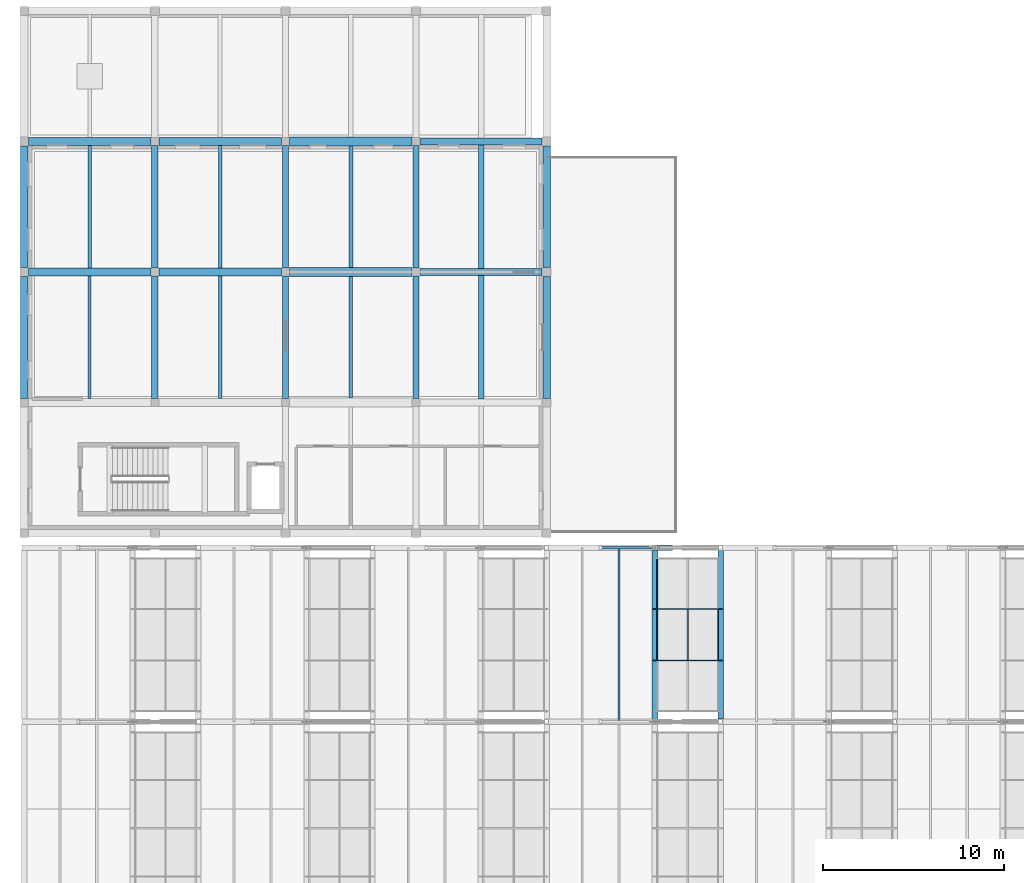
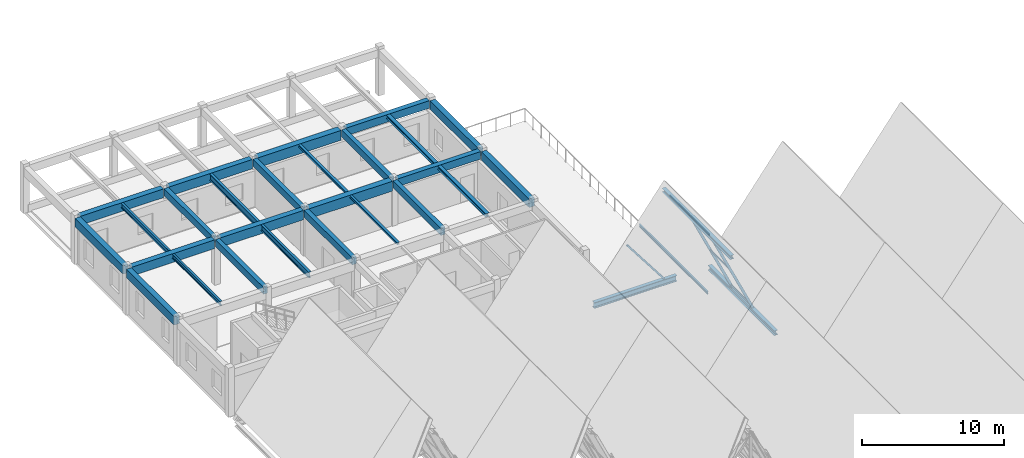
# One storey, part 27 of 99: 29 beams, 8 members, 1 element without a shape of its own.
"""IFC4 building model written with IfcOpenShell, lengths in metres."""

from ifc_helpers import new_model, si_unit, direction, frame, origin, origin_2d, place, context, subcontext, project, spatial, rectangle, hollow_rectangle, i_section, extrude, material, material_profile, profile_set, type_object, element, aggregate, save


model = new_model("IFC4")

# Units and contexts
model_context = context("Model", 3, precision=1e-05, world=origin(), true_north=direction((0.0, 1.0)))
body_context = subcontext(model_context, "Body", "Model", "MODEL_VIEW")
ifc_project = project(units=[si_unit("LENGTHUNIT", "METRE"), si_unit("AREAUNIT", "SQUARE_METRE"), si_unit("VOLUMEUNIT", "CUBIC_METRE"), si_unit("PLANEANGLEUNIT", "RADIAN"), si_unit("MASSUNIT", "GRAM", prefix="KILO")], contexts=[model_context])

# Site, building, storey
site_placement = place(None, origin())
site = spatial("IfcSite", under=ifc_project, at=site_placement, CompositionType="ELEMENT")
building_placement = place(site_placement, origin())
building = spatial("IfcBuilding", under=site, at=building_placement, Name="Bramveld Media Centre", CompositionType="ELEMENT")
storey_placement = place(building_placement, frame((0.0, 0.0, 13.800048828125)))
storey = spatial("IfcBuildingStorey", under=building, at=storey_placement, Name="L03", CompositionType="ELEMENT", Elevation=13.800048828125)

# Beams
ifc_material_1 = material(Name="Concrete C40/50", Category="concrete")
ifc_material_profile_1 = material_profile(ifc_material_1, rectangle(XDim=0.35009765625, YDim=0.60009765625, at=origin_2d()), Name="RC 350x600")
ifc_profile_set_1 = profile_set([ifc_material_profile_1], Name="Concrete C40/50")
beam_type_1 = type_object("IfcBeamType", Name="BM-INT-RC-350x600", PredefinedType="BEAM", material=ifc_profile_set_1)
for number, where, z_axis, x_axis, name in (
    (1, (7.199951171875, 46.625, 3.659912109375), (0.0, 1.0, 0.0), (-1.0, 0.0, 0.0), "V3 L03 girder Y-413"),
    (2, (7.199951171875, 53.824951171875, 3.659912109375), (0.0, 1.0, 0.0), (-1.0, 0.0, 0.0), "V3 L03 girder Y-414"),
    (3, (14.39990234375, 46.625, 3.659912109375), (0.0, 1.0, 0.0), (-1.0, 0.0, 0.0), "V3 L03 girder Y-417"),
    (4, (14.39990234375, 53.824951171875, 3.659912109375), (0.0, 1.0, 0.0), (-1.0, 0.0, 0.0), "V3 L03 girder Y-418"),
    (5, (21.60009765625, 46.625, 3.659912109375), (0.0, 1.0, 0.0), (-1.0, 0.0, 0.0), "V3 L03 girder Y-421"),
    (6, (21.60009765625, 53.824951171875, 3.659912109375), (0.0, 1.0, 0.0), (-1.0, 0.0, 0.0), "V3 L03 girder Y-422"),
):
    element("IfcBeam", number, at=place(storey_placement, frame(where, z_axis=z_axis, x_axis=x_axis)), inside=storey, type_object=beam_type_1, Name=name, PredefinedType="BEAM", context=body_context, shape_type="SweptSolid", body=[
        extrude(rectangle(XDim=0.35009765625, YDim=0.60009765625, at=origin_2d()), origin(), (0.0, 0.0, 1.0), 6.75),
    ])
ifc_material_2 = material(Name="Concrete C40/50", Category="concrete")
ifc_material_profile_2 = material_profile(ifc_material_2, rectangle(XDim=0.39990234375, YDim=0.64990234375, at=origin_2d()), Name="RC 400x650")
ifc_profile_set_2 = profile_set([ifc_material_profile_2], Name="Concrete C40/50")
beam_type_2 = type_object("IfcBeamType", Name="BM-INT-RC-400x650", PredefinedType="BEAM", material=ifc_profile_set_2)
for number, where, z_axis, x_axis, name in (
    (7, (21.824951171875, 53.60009765625, 3.635009765625), (1.0, 0.0, 0.0), (0.0, 1.0, 0.0), "V3 L03 girder X-400"),
    (8, (21.824951171875, 60.800048828125, 3.635009765625), (1.0, 0.0, 0.0), (0.0, 1.0, 0.0), "V3 L03 girder X-404"),
):
    element("IfcBeam", number, at=place(storey_placement, frame(where, z_axis=z_axis, x_axis=x_axis)), inside=storey, type_object=beam_type_2, Name=name, PredefinedType="BEAM", context=body_context, shape_type="SweptSolid", body=[
        extrude(rectangle(XDim=0.39990234375, YDim=0.64990234375, at=origin_2d()), origin(), (0.0, 0.0, 1.0), 6.735107421875),
    ])
ifc_material_3 = material(Name="Concrete C40/50", Category="concrete")
ifc_material_profile_3 = material_profile(ifc_material_3, rectangle(XDim=0.449951171875, YDim=0.75, at=origin_2d()), Name="RC 450x750")
ifc_profile_set_3 = profile_set([ifc_material_profile_3], Name="Concrete C40/50")
beam_type_3 = type_object("IfcBeamType", Name="BM-INT-RC-450x750", PredefinedType="BEAM", material=ifc_profile_set_3)
for number, where, z_axis, x_axis, name in (
    (9, (0.239990234375, 53.60009765625, 3.5849609375), (1.0, 0.0, 0.0), (0.0, 1.0, 0.0), "V3 L03 girder X-397"),
    (10, (0.239990234375, 60.800048828125, 3.5849609375), (1.0, 0.0, 0.0), (0.0, 1.0, 0.0), "V3 L03 girder X-401"),
):
    element("IfcBeam", number, at=place(storey_placement, frame(where, z_axis=z_axis, x_axis=x_axis)), inside=storey, type_object=beam_type_3, Name=name, PredefinedType="BEAM", context=body_context, shape_type="SweptSolid", body=[
        extrude(rectangle(XDim=0.449951171875, YDim=0.75, at=origin_2d()), origin(), (0.0, 0.0, 1.0), 6.735107421875),
    ])
ifc_material_4 = material(Name="Concrete C40/50", Category="concrete")
ifc_material_profile_4 = material_profile(ifc_material_4, rectangle(XDim=0.449951171875, YDim=0.800048828125, at=origin_2d()), Name="RC 450x800")
ifc_profile_set_4 = profile_set([ifc_material_profile_4], Name="Concrete C40/50")
beam_type_4 = type_object("IfcBeamType", Name="BM-INT-RC-450x800", PredefinedType="BEAM", material=ifc_profile_set_4)
for number, where, z_axis, x_axis, name in (
    (11, (7.425048828125, 53.60009765625, 3.56005859375), (1.0, 0.0, 0.0), (0.0, 1.0, 0.0), "V3 L03 girder X-398"),
    (12, (7.425048828125, 60.800048828125, 3.56005859375), (1.0, 0.0, 0.0), (0.0, 1.0, 0.0), "V3 L03 girder X-402"),
):
    element("IfcBeam", number, at=place(storey_placement, frame(where, z_axis=z_axis, x_axis=x_axis)), inside=storey, type_object=beam_type_4, Name=name, PredefinedType="BEAM", context=body_context, shape_type="SweptSolid", body=[
        extrude(rectangle(XDim=0.449951171875, YDim=0.800048828125, at=origin_2d()), origin(), (0.0, 0.0, 1.0), 6.75),
    ])
ifc_material_5 = material(Name="Concrete C40/50", Category="concrete")
ifc_material_profile_5 = material_profile(ifc_material_5, rectangle(XDim=0.5, YDim=0.85009765625, at=origin_2d()), Name="RC 500x850")
ifc_profile_set_5 = profile_set([ifc_material_profile_5], Name="Concrete C40/50")
beam_type_5 = type_object("IfcBeamType", Name="BM-INT-RC-500x850", PredefinedType="BEAM", material=ifc_profile_set_5)
for number, where, z_axis, x_axis, name in (
    (13, (14.625, 53.60009765625, 3.534912109375), (1.0, 0.0, 0.0), (0.0, 1.0, 0.0), "V3 L03 girder X-399"),
    (14, (14.625, 60.800048828125, 3.534912109375), (1.0, 0.0, 0.0), (0.0, 1.0, 0.0), "V3 L03 girder X-403"),
):
    element("IfcBeam", number, at=place(storey_placement, frame(where, z_axis=z_axis, x_axis=x_axis)), inside=storey, type_object=beam_type_5, Name=name, PredefinedType="BEAM", context=body_context, shape_type="SweptSolid", body=[
        extrude(rectangle(XDim=0.5, YDim=0.85009765625, at=origin_2d()), origin(), (0.0, 0.0, 1.0), 6.75),
    ])

# Curtain wall, members
ifc_material_6 = material(Name="Thermally broken anodized bronze aluminium unitized curtain wall with solar-control triple glazing", Category="aluminium")
curtain_wall_type = type_object("IfcCurtainWallType", Name="CW-SAW-8500x8606", PredefinedType="NOTDEFINED", material=ifc_material_6)
curtain_wall_placement = place(storey_placement, origin())
curtain_wall = element("IfcCurtainWall", 15, at=curtain_wall_placement, inside=storey, type_object=curtain_wall_type, Name="V2 sawtooth north-light clerestory B4-S3", PredefinedType="NOTDEFINED")
ifc_material_7 = material(Name="Thermally broken anodized bronze aluminium EN AW-6063 T6 curtain-wall framing", Category="aluminium")
ifc_material_profile_6 = material_profile(ifc_material_7, hollow_rectangle(XDim=0.070068359375, YDim=0.199951171875, WallThickness=0.00439453125, InnerFilletRadius=0.00439453125, OuterFilletRadius=0.009033203125, at=origin_2d()), Name="AL-MULL 70x200")
ifc_profile_set_6 = profile_set([ifc_material_profile_6], Name="Thermally broken anodized bronze aluminium EN AW-6063 T6 curtain-wall framing")
member_type_1 = type_object("IfcMemberType", Name="CW-MULL-SLP", PredefinedType="MULLION", material=ifc_profile_set_6)
member_1_placement = place(storey_placement, frame((38.39990234375, 32.183349609375, -0.02001953125), z_axis=(-0.423956992265, 0.0, 0.90568232218), x_axis=(0.0, -1.0, 0.0)))
member_1 = element("IfcMember", 16, at=member_1_placement, type_object=member_type_1, Name="CW-SA-8586 sloped mullion 2", PredefinedType="MULLION", context=body_context, shape_type="SweptSolid", body=[
    extrude(hollow_rectangle(XDim=0.070068359375, YDim=0.199951171875, WallThickness=0.00439453125, InnerFilletRadius=0.00439453125, OuterFilletRadius=0.009033203125, at=origin_2d()), origin(), (0.0, 0.0, 1.0), 8.5791015625),
])
member_2_placement = place(storey_placement, frame((38.39990234375, 35.0166015625, -0.02001953125), z_axis=(-0.423956992265, 0.0, 0.90568232218), x_axis=(0.0, -1.0, 0.0)))
member_2 = element("IfcMember", 17, at=member_2_placement, type_object=member_type_1, Name="CW-SA-8586 sloped mullion 3", PredefinedType="MULLION", context=body_context, shape_type="SweptSolid", body=[
    extrude(hollow_rectangle(XDim=0.070068359375, YDim=0.199951171875, WallThickness=0.00439453125, InnerFilletRadius=0.00439453125, OuterFilletRadius=0.009033203125, at=origin_2d()), origin(), (0.0, 0.0, 1.0), 8.5791015625),
])
ifc_material_8 = material(Name="Thermally broken anodized bronze aluminium EN AW-6063 T6 curtain-wall framing", Category="aluminium")
ifc_material_profile_7 = material_profile(ifc_material_8, hollow_rectangle(XDim=0.070068359375, YDim=0.14990234375, WallThickness=0.00390625, InnerFilletRadius=0.00390625, OuterFilletRadius=0.008056640625, at=origin_2d()), Name="AL-TRAN 70x150")
ifc_profile_set_7 = profile_set([ifc_material_profile_7], Name="Thermally broken anodized bronze aluminium EN AW-6063 T6 curtain-wall framing")
member_type_2 = type_object("IfcMemberType", Name="CW-TRAN-SLP", PredefinedType="USERDEFINED", material=ifc_profile_set_7)
member_3_placement = place(storey_placement, frame((38.25439453125, 32.21826171875, 0.290771484375), z_axis=(0.0, 1.0, 0.0), x_axis=(-1.0, 0.0, 0.0)))
member_3 = element("IfcMember", 18, at=member_3_placement, type_object=member_type_2, Name="CW-SA-8586 transom 2.1", ObjectType="TRANSOM", PredefinedType="USERDEFINED", context=body_context, shape_type="SweptSolid", body=[
    extrude(hollow_rectangle(XDim=0.070068359375, YDim=0.14990234375, WallThickness=0.00390625, InnerFilletRadius=0.00390625, OuterFilletRadius=0.008056640625, at=origin_2d()), origin(), (0.0, 0.0, 1.0), 2.763427734375),
])
member_4_placement = place(storey_placement, frame((36.581298828125, 32.21826171875, 3.864990234375), z_axis=(0.0, 1.0, 0.0), x_axis=(-1.0, 0.0, 0.0)))
member_4 = element("IfcMember", 19, at=member_4_placement, type_object=member_type_2, Name="CW-SA-8586 transom 2.2", ObjectType="TRANSOM", PredefinedType="USERDEFINED", context=body_context, shape_type="SweptSolid", body=[
    extrude(hollow_rectangle(XDim=0.070068359375, YDim=0.14990234375, WallThickness=0.00390625, InnerFilletRadius=0.00390625, OuterFilletRadius=0.008056640625, at=origin_2d()), origin(), (0.0, 0.0, 1.0), 2.763427734375),
])
member_5_placement = place(storey_placement, frame((34.908203125, 32.21826171875, 7.439208984375), z_axis=(0.0, 1.0, 0.0), x_axis=(-1.0, 0.0, 0.0)))
member_5 = element("IfcMember", 20, at=member_5_placement, type_object=member_type_2, Name="CW-SA-8586 transom 2.3", ObjectType="TRANSOM", PredefinedType="USERDEFINED", context=body_context, shape_type="SweptSolid", body=[
    extrude(hollow_rectangle(XDim=0.070068359375, YDim=0.14990234375, WallThickness=0.00390625, InnerFilletRadius=0.00390625, OuterFilletRadius=0.008056640625, at=origin_2d()), origin(), (0.0, 0.0, 1.0), 2.763427734375),
])
member_6_placement = place(storey_placement, frame((34.908203125, 35.0517578125, 7.439208984375), z_axis=(0.0, 1.0, 0.0), x_axis=(-1.0, 0.0, 0.0)))
member_6 = element("IfcMember", 21, at=member_6_placement, type_object=member_type_2, Name="CW-SA-8586 transom 3.3", ObjectType="TRANSOM", PredefinedType="USERDEFINED", context=body_context, shape_type="SweptSolid", body=[
    extrude(hollow_rectangle(XDim=0.070068359375, YDim=0.14990234375, WallThickness=0.00390625, InnerFilletRadius=0.00390625, OuterFilletRadius=0.008056640625, at=origin_2d()), origin(), (0.0, 0.0, 1.0), 2.728271484375),
])
aggregate(curtain_wall, [member_1, member_2, member_3, member_4, member_5, member_6])

# Members
ifc_material_9 = material(Name="Steel S355J2H", Category="steel")
ifc_material_profile_8 = material_profile(ifc_material_9, hollow_rectangle(XDim=0.14990234375, YDim=0.14990234375, WallThickness=0.010009765625, InnerFilletRadius=0.010009765625, OuterFilletRadius=0.02001953125, at=origin_2d()), Name="SHS 150x150x10")
ifc_profile_set_8 = profile_set([ifc_material_profile_8], Name="Steel S355J2H")
member_type_3 = type_object("IfcMemberType", Name="MEM-BRACE-SHS150", PredefinedType="BRACE", material=ifc_profile_set_8)
member_7_placement = place(storey_placement, frame((34.7626953125, 38.39990234375, 0.0), z_axis=(-0.607311644479, 0.0, 0.794463697396), x_axis=(0.0, -1.0, 0.0)))
element("IfcMember", 22, at=member_7_placement, inside=storey, type_object=member_type_3, Name="TRUSS-V2-B04-F5 web diagonal", PredefinedType="BRACE", context=body_context, shape_type="SweptSolid", body=[
    extrude(hollow_rectangle(XDim=0.14990234375, YDim=0.14990234375, WallThickness=0.010009765625, InnerFilletRadius=0.010009765625, OuterFilletRadius=0.02001953125, at=origin_2d()), origin(), (0.0, 0.0, 1.0), 4.908935546875),
])
ifc_material_10 = material(Name="Steel S355J2", Category="steel")
ifc_material_profile_9 = material_profile(ifc_material_10, i_section(OverallWidth=0.1201171875, OverallDepth=0.239990234375, WebThickness=0.006103515625, FlangeThickness=0.009765625, FilletRadius=0.014892578125, at=origin_2d()), Name="IPE 240")
ifc_profile_set_9 = profile_set([ifc_material_profile_9], Name="Steel S355J2")
member_type_4 = type_object("IfcMemberType", Name="MEM-PURLIN-IPE240", PredefinedType="PURLIN", material=ifc_profile_set_9)
member_8_placement = place(storey_placement, frame((32.795166015625, 28.800048828125, 5.26904296875), z_axis=(0.0, 1.0, 0.0), x_axis=(-1.0, 0.0, 0.0)))
element("IfcMember", 23, at=member_8_placement, inside=storey, type_object=member_type_4, Name="V2 roof purlin", PredefinedType="PURLIN", context=body_context, shape_type="SweptSolid", body=[
    extrude(i_section(OverallWidth=0.1201171875, OverallDepth=0.239990234375, WebThickness=0.006103515625, FlangeThickness=0.009765625, FilletRadius=0.014892578125, at=origin_2d()), origin(), (0.0, 0.0, 1.0), 9.599853515625),
])

# Beams
ifc_material_11 = material(Name="Steel S355J2", Category="steel")
ifc_material_profile_10 = material_profile(ifc_material_11, i_section(OverallWidth=0.300048828125, OverallDepth=0.5, WebThickness=0.014404296875, FlangeThickness=0.028076171875, FilletRadius=0.027099609375, at=origin_2d()), Name="HEB 500")
ifc_profile_set_10 = profile_set([ifc_material_profile_10], Name="Steel S355J2")
beam_type_6 = type_object("IfcBeamType", Name="SBM-EXT-HEB-500", PredefinedType="BEAM", material=ifc_profile_set_10)
beam_1_placement = place(storey_placement, frame((29.050048828125, 38.39990234375, -0.25), z_axis=(1.0, 0.0, 0.0), x_axis=(0.0, 1.0, 0.0)))
element("IfcBeam", 24, at=beam_1_placement, inside=storey, type_object=beam_type_6, Name="V2 sawtooth tie girder", PredefinedType="BEAM", context=body_context, shape_type="SweptSolid", body=[
    extrude(i_section(OverallWidth=0.300048828125, OverallDepth=0.5, WebThickness=0.014404296875, FlangeThickness=0.028076171875, FilletRadius=0.027099609375, at=origin_2d()), origin(), (0.0, 0.0, 1.0), 6.699951171875),
])
ifc_material_12 = material(Name="Steel S355J2", Category="steel")
ifc_material_profile_11 = material_profile(ifc_material_12, i_section(OverallWidth=0.199951171875, OverallDepth=0.18994140625, WebThickness=0.006591796875, FlangeThickness=0.010009765625, FilletRadius=0.01806640625, at=origin_2d()), Name="HEA 200")
ifc_profile_set_11 = profile_set([ifc_material_profile_11], Name="Steel S355J2")
beam_type_7 = type_object("IfcBeamType", Name="SBM-INT-HEA-200", PredefinedType="BEAM", material=ifc_profile_set_11)
beam_2_placement = place(storey_placement, frame((18.0, 46.64990234375, 3.864990234375), z_axis=(0.0, 1.0, 0.0), x_axis=(-1.0, 0.0, 0.0)))
element("IfcBeam", 25, at=beam_2_placement, inside=storey, type_object=beam_type_7, Name="V3 L03 secondary floor joist 435", PredefinedType="BEAM", context=body_context, shape_type="SweptSolid", body=[
    extrude(i_section(OverallWidth=0.199951171875, OverallDepth=0.18994140625, WebThickness=0.006591796875, FlangeThickness=0.010009765625, FilletRadius=0.01806640625, at=origin_2d()), origin(), (0.0, 0.0, 1.0), 6.7001953125),
])
ifc_material_13 = material(Name="Steel S355J2", Category="steel")
ifc_material_profile_12 = material_profile(ifc_material_13, i_section(OverallWidth=0.219970703125, OverallDepth=0.2099609375, WebThickness=0.007080078125, FlangeThickness=0.010986328125, FilletRadius=0.01806640625, at=origin_2d()), Name="HEA 220")
ifc_profile_set_12 = profile_set([ifc_material_profile_12], Name="Steel S355J2")
beam_type_8 = type_object("IfcBeamType", Name="SBM-INT-HEA-220", PredefinedType="BEAM", material=ifc_profile_set_12)
beam_3_placement = place(storey_placement, frame((18.0, 53.85009765625, 3.85498046875), z_axis=(0.0, 1.0, 0.0), x_axis=(-1.0, 0.0, 0.0)))
element("IfcBeam", 26, at=beam_3_placement, inside=storey, type_object=beam_type_8, Name="V3 L03 secondary floor joist 436", PredefinedType="BEAM", context=body_context, shape_type="SweptSolid", body=[
    extrude(i_section(OverallWidth=0.219970703125, OverallDepth=0.2099609375, WebThickness=0.007080078125, FlangeThickness=0.010986328125, FilletRadius=0.01806640625, at=origin_2d()), origin(), (0.0, 0.0, 1.0), 6.699951171875),
])
ifc_material_14 = material(Name="Steel S355J2", Category="steel")
ifc_material_profile_13 = material_profile(ifc_material_14, i_section(OverallWidth=0.300048828125, OverallDepth=0.2900390625, WebThickness=0.008544921875, FlangeThickness=0.013916015625, FilletRadius=0.027099609375, at=origin_2d()), Name="HEA 300")
ifc_profile_set_13 = profile_set([ifc_material_profile_13], Name="Steel S355J2")
beam_type_9 = type_object("IfcBeamType", Name="SBM-INT-HEA-300", PredefinedType="BEAM", material=ifc_profile_set_13)
beam_4_placement = place(storey_placement, frame((25.199951171875, 46.60009765625, 3.81494140625), z_axis=(0.0, 1.0, 0.0), x_axis=(-1.0, 0.0, 0.0)))
element("IfcBeam", 27, at=beam_4_placement, inside=storey, type_object=beam_type_9, Name="V3 L03 secondary floor joist 439", PredefinedType="BEAM", context=body_context, shape_type="SweptSolid", body=[
    extrude(i_section(OverallWidth=0.300048828125, OverallDepth=0.2900390625, WebThickness=0.008544921875, FlangeThickness=0.013916015625, FilletRadius=0.027099609375, at=origin_2d()), origin(), (0.0, 0.0, 1.0), 6.7998046875),
])
ifc_material_15 = material(Name="Steel S355J2", Category="steel")
ifc_material_profile_14 = material_profile(ifc_material_15, i_section(OverallWidth=0.300048828125, OverallDepth=0.31005859375, WebThickness=0.009033203125, FlangeThickness=0.015380859375, FilletRadius=0.027099609375, at=origin_2d()), Name="HEA 320")
ifc_profile_set_14 = profile_set([ifc_material_profile_14], Name="Steel S355J2")
beam_type_10 = type_object("IfcBeamType", Name="SBM-INT-HEA-320", PredefinedType="BEAM", material=ifc_profile_set_14)
beam_5_placement = place(storey_placement, frame((25.199951171875, 53.800048828125, 3.804931640625), z_axis=(0.0, 1.0, 0.0), x_axis=(-1.0, 0.0, 0.0)))
element("IfcBeam", 28, at=beam_5_placement, inside=storey, type_object=beam_type_10, Name="V3 L03 secondary floor joist 440", PredefinedType="BEAM", context=body_context, shape_type="SweptSolid", body=[
    extrude(i_section(OverallWidth=0.300048828125, OverallDepth=0.31005859375, WebThickness=0.009033203125, FlangeThickness=0.015380859375, FilletRadius=0.027099609375, at=origin_2d()), origin(), (0.0, 0.0, 1.0), 6.800048828125),
])
ifc_material_16 = material(Name="Steel S355J2", Category="steel")
ifc_material_profile_15 = material_profile(ifc_material_16, i_section(OverallWidth=0.300048828125, OverallDepth=0.330078125, WebThickness=0.009521484375, FlangeThickness=0.0166015625, FilletRadius=0.027099609375, at=origin_2d()), Name="HEA 340")
ifc_profile_set_15 = profile_set([ifc_material_profile_15], Name="Steel S355J2")
beam_type_11 = type_object("IfcBeamType", Name="SBM-INT-HEA-340", PredefinedType="BEAM", material=ifc_profile_set_15)
beam_6_placement = place(storey_placement, frame((34.7626953125, 28.800048828125, 7.635009765625), z_axis=(0.0, 1.0, 0.0), x_axis=(-1.0, 0.0, 0.0)))
element("IfcBeam", 29, at=beam_6_placement, inside=storey, type_object=beam_type_11, Name="V2 ridge spine beam", PredefinedType="BEAM", context=body_context, shape_type="SweptSolid", body=[
    extrude(i_section(OverallWidth=0.300048828125, OverallDepth=0.330078125, WebThickness=0.009521484375, FlangeThickness=0.0166015625, FilletRadius=0.027099609375, at=origin_2d()), origin(), (0.0, 0.0, 1.0), 9.599853515625),
])
ifc_material_17 = material(Name="Steel S355J2", Category="steel")
ifc_material_profile_16 = material_profile(ifc_material_17, i_section(OverallWidth=0.300048828125, OverallDepth=0.39990234375, WebThickness=0.013427734375, FlangeThickness=0.02392578125, FilletRadius=0.027099609375, at=origin_2d()), Name="HEB 400")
ifc_profile_set_16 = profile_set([ifc_material_profile_16], Name="Steel S355J2")
beam_type_12 = type_object("IfcBeamType", Name="SBM-INT-HEB-400", PredefinedType="BEAM", material=ifc_profile_set_16)
beam_7_placement = place(storey_placement, frame((38.39990234375, 28.93994140625, -0.199951171875), z_axis=(0.0, 1.0, 0.0), x_axis=(-1.0, 0.0, 0.0)))
element("IfcBeam", 30, at=beam_7_placement, inside=storey, type_object=beam_type_12, Name="V2 valley spine girder 4", PredefinedType="BEAM", context=body_context, shape_type="SweptSolid", body=[
    extrude(i_section(OverallWidth=0.300048828125, OverallDepth=0.39990234375, WebThickness=0.013427734375, FlangeThickness=0.02392578125, FilletRadius=0.027099609375, at=origin_2d()), origin(), (0.0, 0.0, 1.0), 9.320068359375),
])
ifc_material_18 = material(Name="Steel S355J2", Category="steel")
ifc_material_profile_17 = material_profile(ifc_material_18, i_section(OverallWidth=0.169921875, OverallDepth=0.360107421875, WebThickness=0.008056640625, FlangeThickness=0.0126953125, FilletRadius=0.01806640625, at=origin_2d()), Name="IPE 360")
ifc_profile_set_17 = profile_set([ifc_material_profile_17], Name="Steel S355J2")
beam_type_13 = type_object("IfcBeamType", Name="SBM-INT-IPE-360", PredefinedType="JOIST", material=ifc_profile_set_17)
beam_8_placement = place(storey_placement, frame((3.60009765625, 46.625, 3.780029296875), z_axis=(0.0, 1.0, 0.0), x_axis=(-1.0, 0.0, 0.0)))
element("IfcBeam", 31, at=beam_8_placement, inside=storey, type_object=beam_type_13, Name="V3 L03 secondary floor joist 428", PredefinedType="JOIST", context=body_context, shape_type="SweptSolid", body=[
    extrude(i_section(OverallWidth=0.169921875, OverallDepth=0.360107421875, WebThickness=0.008056640625, FlangeThickness=0.0126953125, FilletRadius=0.01806640625, at=origin_2d()), origin(), (0.0, 0.0, 1.0), 6.75),
])
ifc_material_19 = material(Name="Steel S355J2", Category="steel")
ifc_material_profile_18 = material_profile(ifc_material_19, i_section(OverallWidth=0.179931640625, OverallDepth=0.39990234375, WebThickness=0.008544921875, FlangeThickness=0.013427734375, FilletRadius=0.02099609375, at=origin_2d()), Name="IPE 400")
ifc_profile_set_18 = profile_set([ifc_material_profile_18], Name="Steel S355J2")
beam_type_14 = type_object("IfcBeamType", Name="SBM-INT-IPE-400", PredefinedType="JOIST", material=ifc_profile_set_18)
beam_9_placement = place(storey_placement, frame((3.60009765625, 53.824951171875, 3.760009765625), z_axis=(0.0, 1.0, 0.0), x_axis=(-1.0, 0.0, 0.0)))
element("IfcBeam", 32, at=beam_9_placement, inside=storey, type_object=beam_type_14, Name="V3 L03 secondary floor joist 429", PredefinedType="JOIST", context=body_context, shape_type="SweptSolid", body=[
    extrude(i_section(OverallWidth=0.179931640625, OverallDepth=0.39990234375, WebThickness=0.008544921875, FlangeThickness=0.013427734375, FilletRadius=0.02099609375, at=origin_2d()), origin(), (0.0, 0.0, 1.0), 6.75),
])
ifc_material_20 = material(Name="Steel S355J2", Category="steel")
ifc_material_profile_19 = material_profile(ifc_material_20, i_section(OverallWidth=0.199951171875, OverallDepth=0.5, WebThickness=0.01025390625, FlangeThickness=0.01611328125, FilletRadius=0.02099609375, at=origin_2d()), Name="IPE 500")
ifc_profile_set_19 = profile_set([ifc_material_profile_19], Name="Steel S355J2")
beam_type_15 = type_object("IfcBeamType", Name="SBM-INT-IPE-500", PredefinedType="BEAM", material=ifc_profile_set_19)
beam_10_placement = place(storey_placement, frame((10.800048828125, 46.625, 3.7099609375), z_axis=(0.0, 1.0, 0.0), x_axis=(-1.0, 0.0, 0.0)))
element("IfcBeam", 33, at=beam_10_placement, inside=storey, type_object=beam_type_15, Name="V3 L03 secondary floor joist 431", PredefinedType="BEAM", context=body_context, shape_type="SweptSolid", body=[
    extrude(i_section(OverallWidth=0.199951171875, OverallDepth=0.5, WebThickness=0.01025390625, FlangeThickness=0.01611328125, FilletRadius=0.02099609375, at=origin_2d()), origin(), (0.0, 0.0, 1.0), 6.75),
])
ifc_material_21 = material(Name="Steel S355J2", Category="steel")
ifc_material_profile_20 = material_profile(ifc_material_21, i_section(OverallWidth=0.2099609375, OverallDepth=0.550048828125, WebThickness=0.010986328125, FlangeThickness=0.01708984375, FilletRadius=0.02392578125, at=origin_2d()), Name="IPE 550")
ifc_profile_set_20 = profile_set([ifc_material_profile_20], Name="Steel S355J2")
beam_type_16 = type_object("IfcBeamType", Name="SBM-INT-IPE-550", PredefinedType="BEAM", material=ifc_profile_set_20)
beam_11_placement = place(storey_placement, frame((10.800048828125, 53.824951171875, 3.68505859375), z_axis=(0.0, 1.0, 0.0), x_axis=(-1.0, 0.0, 0.0)))
element("IfcBeam", 34, at=beam_11_placement, inside=storey, type_object=beam_type_16, Name="V3 L03 secondary floor joist 432", PredefinedType="BEAM", context=body_context, shape_type="SweptSolid", body=[
    extrude(i_section(OverallWidth=0.2099609375, OverallDepth=0.550048828125, WebThickness=0.010986328125, FlangeThickness=0.01708984375, FilletRadius=0.02392578125, at=origin_2d()), origin(), (0.0, 0.0, 1.0), 6.75),
])
ifc_material_22 = material(Name="Concrete C40/50", Category="concrete")
ifc_material_profile_21 = material_profile(ifc_material_22, rectangle(XDim=0.419921875, YDim=0.719970703125, at=origin_2d()), Name="RC 420x720")
ifc_profile_set_21 = profile_set([ifc_material_profile_21], Name="Concrete C40/50")
beam_type_17 = type_object("IfcBeamType", Name="SPANDREL-EXT-RC-420x720", PredefinedType="SPANDREL", material=ifc_profile_set_21)
beam_12_placement = place(storey_placement, frame((0.0, 46.639892578125, 3.599853515625), z_axis=(0.0, 1.0, 0.0), x_axis=(-1.0, 0.0, 0.0)))
element("IfcBeam", 35, at=beam_12_placement, inside=storey, type_object=beam_type_17, Name="V3 L03 girder Y-410", PredefinedType="SPANDREL", context=body_context, shape_type="SweptSolid", body=[
    extrude(rectangle(XDim=0.419921875, YDim=0.719970703125, at=origin_2d()), origin(), (0.0, 0.0, 1.0), 6.72021484375),
])
beam_13_placement = place(storey_placement, frame((0.0, 53.840087890625, 3.599853515625), z_axis=(0.0, 1.0, 0.0), x_axis=(-1.0, 0.0, 0.0)))
element("IfcBeam", 36, at=beam_13_placement, inside=storey, type_object=beam_type_17, Name="V3 L03 girder Y-411", PredefinedType="SPANDREL", context=body_context, shape_type="SweptSolid", body=[
    extrude(rectangle(XDim=0.419921875, YDim=0.719970703125, at=origin_2d()), origin(), (0.0, 0.0, 1.0), 6.719970703125),
])
beam_14_placement = place(storey_placement, frame((28.800048828125, 46.639892578125, 3.599853515625), z_axis=(0.0, 1.0, 0.0), x_axis=(-1.0, 0.0, 0.0)))
element("IfcBeam", 37, at=beam_14_placement, inside=storey, type_object=beam_type_17, Name="V3 L03 girder Y-425", PredefinedType="SPANDREL", context=body_context, shape_type="SweptSolid", body=[
    extrude(rectangle(XDim=0.419921875, YDim=0.719970703125, at=origin_2d()), origin(), (0.0, 0.0, 1.0), 6.72021484375),
])
beam_15_placement = place(storey_placement, frame((28.800048828125, 53.840087890625, 3.599853515625), z_axis=(0.0, 1.0, 0.0), x_axis=(-1.0, 0.0, 0.0)))
element("IfcBeam", 38, at=beam_15_placement, inside=storey, type_object=beam_type_17, Name="V3 L03 girder Y-426", PredefinedType="SPANDREL", context=body_context, shape_type="SweptSolid", body=[
    extrude(rectangle(XDim=0.419921875, YDim=0.719970703125, at=origin_2d()), origin(), (0.0, 0.0, 1.0), 6.719970703125),
])

save(model, "model.ifc")
